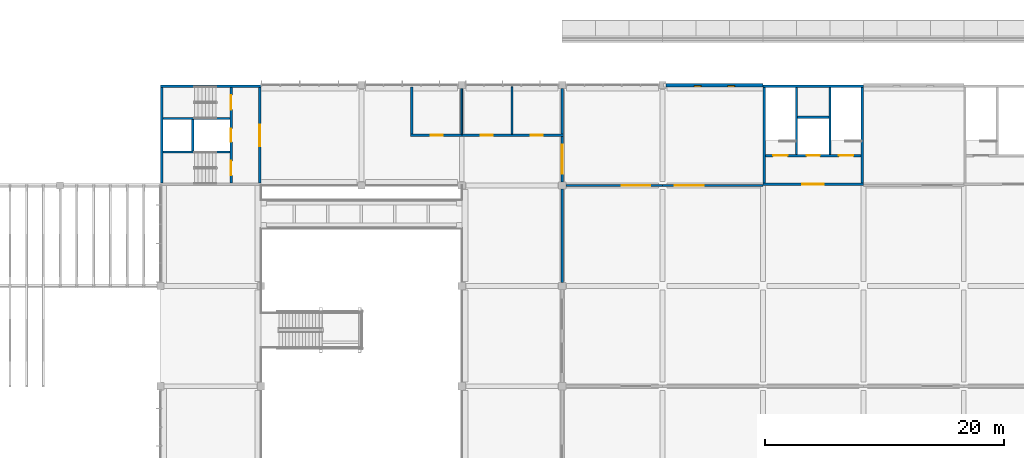
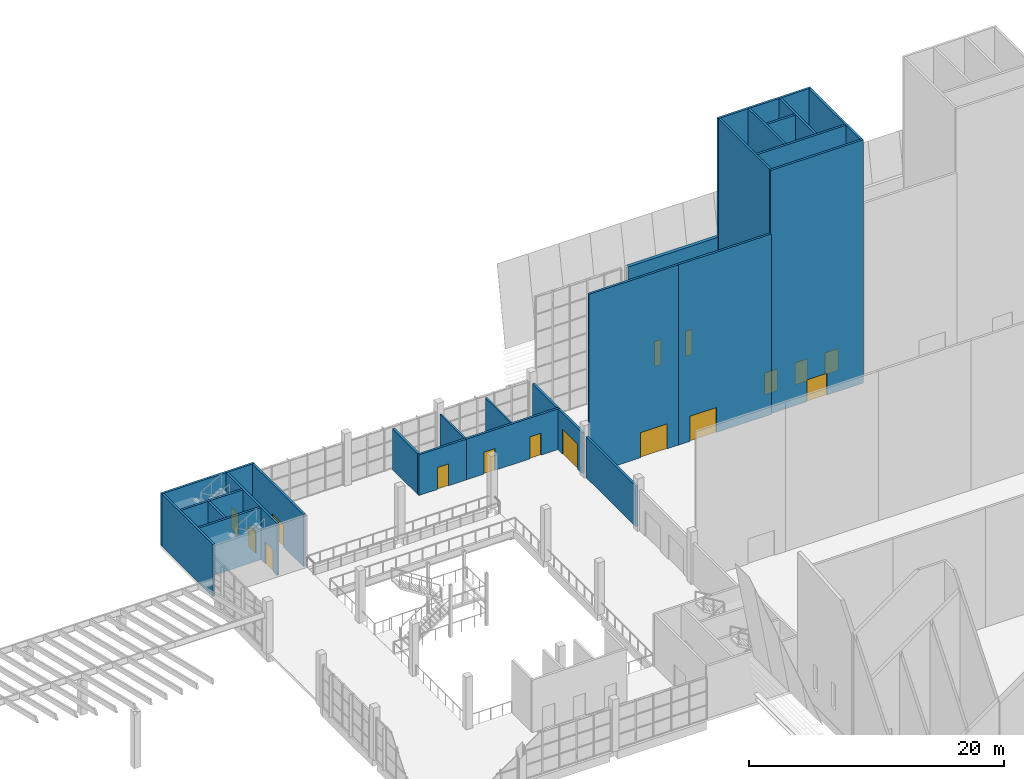
# One storey, part 24 of 59: 26 walls, 14 doors, 2 windows, 16 openings.
"""IFC4 building model written with IfcOpenShell, lengths in metres."""

from ifc_helpers import new_model, si_unit, direction, frame, frame_2d, origin, place, context, subcontext, project, spatial, rectangle, extrude, material, layer, layer_set, type_object, element, fill, save


model = new_model("IFC4")

# Units and contexts
model_context = context("Model", 3, precision=1e-05, world=origin(), true_north=direction((0.0, 1.0)))
body_context = subcontext(model_context, "Body", "Model", "MODEL_VIEW")
ifc_project = project(units=[si_unit("LENGTHUNIT", "METRE"), si_unit("AREAUNIT", "SQUARE_METRE"), si_unit("VOLUMEUNIT", "CUBIC_METRE"), si_unit("PLANEANGLEUNIT", "RADIAN"), si_unit("MASSUNIT", "GRAM", prefix="KILO")], contexts=[model_context])

# Site, building, storey
site_placement = place(None, origin())
site = spatial("IfcSite", under=ifc_project, at=site_placement, CompositionType="ELEMENT")
building_placement = place(site_placement, origin())
building = spatial("IfcBuilding", under=site, at=building_placement, Name="Almond Square Museum", CompositionType="ELEMENT")
storey_placement = place(building_placement, frame((0.0, 0.0, 25.0)))
storey = spatial("IfcBuildingStorey", under=building, at=storey_placement, Name="L04", CompositionType="ELEMENT", Elevation=25.0)

# Wall, openings, windows
ifc_material_1 = material(Name="Concrete C30/37", Category="concrete")
ifc_layer_1 = layer(ifc_material_1, 0.300048828125)
ifc_layer_set_1 = layer_set([ifc_layer_1], Name="Concrete C30/37")
wall_type_1 = type_object("IfcWallType", Name="Cast concrete wall 300 C30/37 behind louvre skin", PredefinedType="SOLIDWALL", material=ifc_layer_set_1)
wall_1_placement = place(storey_placement, frame((115.5, 109.199951171875, 0.0), z_axis=(0.0, 0.0, 1.0), x_axis=(1.0, 0.0, 0.0)))
wall_1 = element("IfcWall", 1, at=wall_1_placement, inside=storey, type_object=wall_type_1, Name="External wall W1 V1 L04 N02", PredefinedType="SOLIDWALL", context=body_context, shape_type="SweptSolid", body=[
    extrude(rectangle(XDim=8.10009765625, YDim=0.300048828125, at=frame_2d((4.050048828125, 0.0))), origin(), (0.0, 0.0, 1.0), 11.89990234375),
])
opening_1_placement = place(wall_1_placement, frame((2.35009765625, 0.0, 1.5)))
opening_1 = element("IfcOpeningElement", 2, at=opening_1_placement, cuts=wall_1, Name="Opening W4039", PredefinedType="OPENING", context=body_context, shape_type="SweptSolid", body=[
    extrude(rectangle(XDim=0.60009765625, YDim=2.39990234375, at=frame_2d((0.300048828125, 1.199951171875))), frame((0.0, 0.159912109375, 0.0), z_axis=(0.0, -1.0, 0.0), x_axis=(1.0, 0.0, 0.0)), (0.0, 0.0, 1.0), 0.320068359375),
])
opening_2_placement = place(wall_1_placement, frame((5.14990234375, 0.0, 1.5)))
opening_2 = element("IfcOpeningElement", 3, at=opening_2_placement, cuts=wall_1, Name="Opening W4040", PredefinedType="OPENING", context=body_context, shape_type="SweptSolid", body=[
    extrude(rectangle(XDim=0.60009765625, YDim=2.39990234375, at=frame_2d((0.300048828125, 1.199951171875))), frame((0.0, 0.159912109375, 0.0), z_axis=(0.0, -1.0, 0.0), x_axis=(1.0, 0.0, 0.0)), (0.0, 0.0, 1.0), 0.320068359375),
])
ifc_material_2 = material(Name="Anodised aluminium louvre and laminated glass", Category="aluminium")
window_type = type_object("IfcWindowType", Name="Slot window with storm louvre", PartitioningType="SINGLE_PANEL", PredefinedType="WINDOW", material=ifc_material_2)
window_1_placement = place(opening_1_placement, origin())
window_1 = element("IfcWindow", 4, at=window_1_placement, inside=storey, type_object=window_type, Name="Slot window with storm louvre W4039", OverallHeight=2.39990234375, OverallWidth=0.60009765625, PartitioningType="SINGLE_PANEL", PredefinedType="WINDOW", context=body_context, shape_type="SweptSolid", body=[
    extrude(rectangle(XDim=0.60009765625, YDim=2.39990234375, at=frame_2d((0.300048828125, 1.199951171875))), frame((0.0, -0.070068359375, 0.0), z_axis=(0.0, -1.0, 0.0), x_axis=(1.0, 0.0, 0.0)), (0.0, 0.0, 1.0), 0.06005859375),
])
fill(opening_1, window_1)
window_2_placement = place(opening_2_placement, origin())
window_2 = element("IfcWindow", 5, at=window_2_placement, inside=storey, type_object=window_type, Name="Slot window with storm louvre W4040", OverallHeight=2.39990234375, OverallWidth=0.60009765625, PartitioningType="SINGLE_PANEL", PredefinedType="WINDOW", context=body_context, shape_type="SweptSolid", body=[
    extrude(rectangle(XDim=0.60009765625, YDim=2.39990234375, at=frame_2d((0.300048828125, 1.199951171875))), frame((0.0, -0.070068359375, 0.0), z_axis=(0.0, -1.0, 0.0), x_axis=(1.0, 0.0, 0.0)), (0.0, 0.0, 1.0), 0.06005859375),
])
fill(opening_2, window_2)

# Wall
ifc_material_3 = material(Name="Concrete blockwork 200", Category="masonry")
ifc_layer_2 = layer(ifc_material_3, 0.199951171875)
ifc_layer_set_2 = layer_set([ifc_layer_2], Name="Concrete blockwork 200")
wall_type_2 = type_object("IfcWallType", Name="Fire partition 200 blockwork", PredefinedType="PARTITIONING", material=ifc_layer_set_2)
wall_2_placement = place(storey_placement, frame((94.199951171875, 105.10009765625, 0.0), z_axis=(0.0, 0.0, 1.0), x_axis=(0.0, 1.0, 0.0)))
element("IfcWall", 6, at=wall_2_placement, inside=storey, type_object=wall_type_2, Name="L04 partition 1", PredefinedType="PARTITIONING", context=body_context, shape_type="SweptSolid", body=[
    extrude(rectangle(XDim=3.949951171875, YDim=0.199951171875, at=frame_2d((1.97509765625, 0.0))), origin(), (0.0, 0.0, 1.0), 3.89990234375),
])

# Wall, opening, door
wall_3_placement = place(storey_placement, frame((94.10009765625, 105.0, 0.0), z_axis=(0.0, 0.0, 1.0), x_axis=(1.0, 0.0, 0.0)))
wall_3 = element("IfcWall", 7, at=wall_3_placement, inside=storey, type_object=wall_type_2, Name="L04 partition 2", PredefinedType="PARTITIONING", context=body_context, shape_type="SweptSolid", body=[
    extrude(rectangle(XDim=4.2998046875, YDim=0.199951171875, at=frame_2d((2.14990234375, 0.0))), origin(), (0.0, 0.0, 1.0), 3.89990234375),
])
opening_3_placement = place(wall_3_placement, frame((1.71240234375, 0.0, 0.0)))
opening_3 = element("IfcOpeningElement", 8, at=opening_3_placement, cuts=wall_3, Name="Opening D4101", PredefinedType="OPENING", context=body_context, shape_type="SweptSolid", body=[
    extrude(rectangle(XDim=1.0, YDim=2.10009765625, at=frame_2d((0.5, 1.050048828125))), frame((0.0, 0.10986328125, 0.0), z_axis=(0.0, -1.0, 0.0), x_axis=(1.0, 0.0, 0.0)), (0.0, 0.0, 1.0), 0.219970703125),
])
ifc_material_4 = material(Name="Steel", Category="steel")
door_type_1 = type_object("IfcDoorType", Name="Fire door 1000 x 2100 FD60 single", OperationType="NOTDEFINED", PredefinedType="DOOR", material=ifc_material_4)
door_1_placement = place(opening_3_placement, origin())
door_1 = element("IfcDoor", 9, at=door_1_placement, inside=storey, type_object=door_type_1, Name="L04 door Women's WC 1 to Atrium Rim Lobby 1", OperationType="SINGLE_SWING_LEFT", OverallHeight=2.10009765625, OverallWidth=1.0, PredefinedType="DOOR", context=body_context, shape_type="SweptSolid", body=[
    extrude(rectangle(XDim=1.0, YDim=2.10009765625, at=frame_2d((0.5, 1.050048828125))), frame((0.0, 0.02490234375, 0.0), z_axis=(0.0, -1.0, 0.0), x_axis=(1.0, 0.0, 0.0)), (0.0, 0.0, 1.0), 0.050048828125),
])
fill(opening_3, door_1)

# Wall, openings, doors
wall_4_placement = place(storey_placement, frame((98.39990234375, 105.0, 0.0), z_axis=(0.0, 0.0, 1.0), x_axis=(1.0, 0.0, 0.0)))
wall_4 = element("IfcWall", 10, at=wall_4_placement, inside=storey, type_object=wall_type_2, Name="L04 partition 3", PredefinedType="PARTITIONING", context=body_context, shape_type="SweptSolid", body=[
    extrude(rectangle(XDim=8.5, YDim=0.199951171875, at=frame_2d((4.25, 0.0))), origin(), (0.0, 0.0, 1.0), 3.89990234375),
])
opening_4_placement = place(wall_4_placement, frame((1.60009765625, 0.0, 0.0)))
opening_4 = element("IfcOpeningElement", 11, at=opening_4_placement, cuts=wall_4, Name="Opening D4102", PredefinedType="OPENING", context=body_context, shape_type="SweptSolid", body=[
    extrude(rectangle(XDim=1.0, YDim=2.10009765625, at=frame_2d((0.5, 1.050048828125))), frame((0.0, 0.10986328125, 0.0), z_axis=(0.0, -1.0, 0.0), x_axis=(1.0, 0.0, 0.0)), (0.0, 0.0, 1.0), 0.219970703125),
])
opening_5_placement = place(wall_4_placement, frame((5.78759765625, 0.0, 0.0)))
opening_5 = element("IfcOpeningElement", 12, at=opening_5_placement, cuts=wall_4, Name="Opening D4103", PredefinedType="OPENING", context=body_context, shape_type="SweptSolid", body=[
    extrude(rectangle(XDim=1.0, YDim=2.10009765625, at=frame_2d((0.5, 1.050048828125))), frame((0.0, 0.10986328125, 0.0), z_axis=(0.0, -1.0, 0.0), x_axis=(1.0, 0.0, 0.0)), (0.0, 0.0, 1.0), 0.219970703125),
])
door_2_placement = place(opening_4_placement, origin())
door_2 = element("IfcDoor", 13, at=door_2_placement, inside=storey, type_object=door_type_1, Name="L04 door Men's WC 1 to Atrium Rim Lobby 1", OperationType="SINGLE_SWING_RIGHT", OverallHeight=2.10009765625, OverallWidth=1.0, PredefinedType="DOOR", context=body_context, shape_type="SweptSolid", body=[
    extrude(rectangle(XDim=1.0, YDim=2.10009765625, at=frame_2d((0.5, 1.050048828125))), frame((0.0, 0.02490234375, 0.0), z_axis=(0.0, -1.0, 0.0), x_axis=(1.0, 0.0, 0.0)), (0.0, 0.0, 1.0), 0.050048828125),
])
fill(opening_4, door_2)
door_3_placement = place(opening_5_placement, origin())
door_3 = element("IfcDoor", 14, at=door_3_placement, inside=storey, type_object=door_type_1, Name="L04 door Accessible WC 1 to Atrium Rim Lobby 1", OperationType="SINGLE_SWING_LEFT", OverallHeight=2.10009765625, OverallWidth=1.0, PredefinedType="DOOR", context=body_context, shape_type="SweptSolid", body=[
    extrude(rectangle(XDim=1.0, YDim=2.10009765625, at=frame_2d((0.5, 1.050048828125))), frame((0.0, 0.02490234375, 0.0), z_axis=(0.0, -1.0, 0.0), x_axis=(1.0, 0.0, 0.0)), (0.0, 0.0, 1.0), 0.050048828125),
])
fill(opening_5, door_3)

# Wall, opening, door
wall_5_placement = place(storey_placement, frame((106.800048828125, 101.10009765625, 0.0), z_axis=(0.0, 0.0, 1.0), x_axis=(0.0, 1.0, 0.0)))
wall_5 = element("IfcWall", 15, at=wall_5_placement, inside=storey, type_object=wall_type_2, Name="L04 partition 4", PredefinedType="PARTITIONING", context=body_context, shape_type="SweptSolid", body=[
    extrude(rectangle(XDim=3.7998046875, YDim=0.199951171875, at=frame_2d((1.89990234375, 0.0))), origin(), (0.0, 0.0, 1.0), 3.89990234375),
])
opening_6_placement = place(wall_5_placement, frame((0.699951171875, 0.0, 0.0)))
opening_6 = element("IfcOpeningElement", 16, at=opening_6_placement, cuts=wall_5, Name="Opening D4119", PredefinedType="OPENING", context=body_context, shape_type="SweptSolid", body=[
    extrude(rectangle(XDim=2.39990234375, YDim=2.39990234375, at=frame_2d((1.199951171875, 1.199951171875))), frame((0.0, 0.10986328125, 0.0), z_axis=(0.0, -1.0, 0.0), x_axis=(1.0, 0.0, 0.0)), (0.0, 0.0, 1.0), 0.219970703125),
])
ifc_material_5 = material(Name="Steel", Category="steel")
door_type_2 = type_object("IfcDoorType", Name="Fire door 2400 x 2400 FD60 double", OperationType="NOTDEFINED", PredefinedType="DOOR", material=ifc_material_5)
door_4_placement = place(opening_6_placement, origin())
door_4 = element("IfcDoor", 17, at=door_4_placement, inside=storey, type_object=door_type_2, Name="L04 door Atrium Rim Lobby 1 to Hall Gallery 1", OperationType="DOUBLE_DOOR_SINGLE_SWING", OverallHeight=2.39990234375, OverallWidth=2.39990234375, PredefinedType="DOOR", context=body_context, shape_type="SweptSolid", body=[
    extrude(rectangle(XDim=2.39990234375, YDim=2.39990234375, at=frame_2d((1.199951171875, 1.199951171875))), frame((0.0, 0.02490234375, 0.0), z_axis=(0.0, -1.0, 0.0), x_axis=(1.0, 0.0, 0.0)), (0.0, 0.0, 1.0), 0.050048828125),
])
fill(opening_6, door_4)

# Walls
wall_6_placement = place(storey_placement, frame((106.800048828125, 92.699951171875, 0.0), z_axis=(0.0, 0.0, 1.0), x_axis=(0.0, 1.0, 0.0)))
element("IfcWall", 18, at=wall_6_placement, inside=storey, type_object=wall_type_2, Name="L04 partition 12", PredefinedType="PARTITIONING", context=body_context, shape_type="SweptSolid", body=[
    extrude(rectangle(XDim=7.800048828125, YDim=0.199951171875, at=frame_2d((3.89990234375, 0.0))), origin(), (0.0, 0.0, 1.0), 3.89990234375),
])
ifc_material_6 = material(Name="Painted gypsum board on steel stud", Category="steel")
ifc_layer_3 = layer(ifc_material_6, 0.199951171875)
ifc_layer_set_3 = layer_set([ifc_layer_3], Name="Painted gypsum board on steel stud")
wall_type_3 = type_object("IfcWallType", Name="Gallery wall 200 painted board on stud", PredefinedType="PARTITIONING", material=ifc_layer_set_3)
wall_7_placement = place(storey_placement, frame((106.800048828125, 105.10009765625, 0.0), z_axis=(0.0, 0.0, 1.0), x_axis=(0.0, 1.0, 0.0)))
element("IfcWall", 19, at=wall_7_placement, inside=storey, type_object=wall_type_3, Name="L04 partition 7", PredefinedType="PARTITIONING", context=body_context, shape_type="SweptSolid", body=[
    extrude(rectangle(XDim=3.7998046875, YDim=0.199951171875, at=frame_2d((1.89990234375, 0.0))), origin(), (0.0, 0.0, 1.0), 3.89990234375),
])

# Wall, opening, door
wall_8_placement = place(storey_placement, frame((107.10009765625, 100.800048828125, 0.0), z_axis=(0.0, 0.0, 1.0), x_axis=(1.0, 0.0, 0.0)))
wall_8 = element("IfcWall", 20, at=wall_8_placement, inside=storey, type_object=wall_type_3, Name="L04 partition 8", PredefinedType="PARTITIONING", context=body_context, shape_type="SweptSolid", body=[
    extrude(rectangle(XDim=8.099853515625, YDim=0.199951171875, at=frame_2d((4.0498046875, 0.0))), origin(), (0.0, 0.0, 1.0), 17.27001953125),
])
opening_7_placement = place(wall_8_placement, frame((4.675048828125, 0.0, 0.0)))
opening_7 = element("IfcOpeningElement", 21, at=opening_7_placement, cuts=wall_8, Name="Opening D4120", PredefinedType="OPENING", context=body_context, shape_type="SweptSolid", body=[
    extrude(rectangle(XDim=2.39990234375, YDim=2.39990234375, at=frame_2d((1.199951171875, 1.199951171875))), frame((0.0, 0.10986328125, 0.0), z_axis=(0.0, -1.0, 0.0), x_axis=(1.0, 0.0, 0.0)), (0.0, 0.0, 1.0), 0.219970703125),
])
ifc_material_7 = material(Name="Timber", Category="wood")
door_type_3 = type_object("IfcDoorType", Name="Gallery door 2400 x 2400 timber double", OperationType="NOTDEFINED", PredefinedType="DOOR", material=ifc_material_7)
door_5_placement = place(opening_7_placement, origin())
door_5 = element("IfcDoor", 22, at=door_5_placement, inside=storey, type_object=door_type_3, Name="L04 door Hall Gallery 1 to Hall Gallery 3", OperationType="DOUBLE_DOOR_SINGLE_SWING", OverallHeight=2.39990234375, OverallWidth=2.39990234375, PredefinedType="DOOR", context=body_context, shape_type="SweptSolid", body=[
    extrude(rectangle(XDim=2.39990234375, YDim=2.39990234375, at=frame_2d((1.199951171875, 1.199951171875))), frame((0.0, 0.02490234375, 0.0), z_axis=(0.0, -1.0, 0.0), x_axis=(1.0, 0.0, 0.0)), (0.0, 0.0, 1.0), 0.050048828125),
])
fill(opening_7, door_5)

wall_9_placement = place(storey_placement, frame((115.199951171875, 100.800048828125, 0.0), z_axis=(0.0, 0.0, 1.0), x_axis=(1.0, 0.0, 0.0)))
wall_9 = element("IfcWall", 23, at=wall_9_placement, inside=storey, type_object=wall_type_3, Name="L04 partition 9", PredefinedType="PARTITIONING", context=body_context, shape_type="SweptSolid", body=[
    extrude(rectangle(XDim=8.400146484375, YDim=0.199951171875, at=frame_2d((4.2001953125, 0.0))), origin(), (0.0, 0.0, 1.0), 17.27001953125),
])
opening_8_placement = place(wall_9_placement, frame((1.02490234375, 0.0, 0.0)))
opening_8 = element("IfcOpeningElement", 24, at=opening_8_placement, cuts=wall_9, Name="Opening D4121", PredefinedType="OPENING", context=body_context, shape_type="SweptSolid", body=[
    extrude(rectangle(XDim=2.39990234375, YDim=2.39990234375, at=frame_2d((1.199951171875, 1.199951171875))), frame((0.0, 0.10986328125, 0.0), z_axis=(0.0, -1.0, 0.0), x_axis=(1.0, 0.0, 0.0)), (0.0, 0.0, 1.0), 0.219970703125),
])
door_6_placement = place(opening_8_placement, origin())
door_6 = element("IfcDoor", 25, at=door_6_placement, inside=storey, type_object=door_type_3, Name="L04 door Hall Gallery 1 to Hall Gallery 3", OperationType="DOUBLE_DOOR_SINGLE_SWING", OverallHeight=2.39990234375, OverallWidth=2.39990234375, PredefinedType="DOOR", context=body_context, shape_type="SweptSolid", body=[
    extrude(rectangle(XDim=2.39990234375, YDim=2.39990234375, at=frame_2d((1.199951171875, 1.199951171875))), frame((0.0, 0.02490234375, 0.0), z_axis=(0.0, -1.0, 0.0), x_axis=(1.0, 0.0, 0.0)), (0.0, 0.0, 1.0), 0.050048828125),
])
fill(opening_8, door_6)

# Walls
ifc_material_8 = material(Name="Plasterboard on steel stud", Category="steel")
ifc_layer_4 = layer(ifc_material_8, 0.14990234375)
ifc_layer_set_4 = layer_set([ifc_layer_4], Name="Plasterboard on steel stud")
wall_type_4 = type_object("IfcWallType", Name="Partition 150 plasterboard on steel stud", PredefinedType="PARTITIONING", material=ifc_layer_set_4)
wall_10_placement = place(storey_placement, frame((98.39990234375, 105.10009765625, 0.0), z_axis=(0.0, 0.0, 1.0), x_axis=(0.0, 1.0, 0.0)))
element("IfcWall", 26, at=wall_10_placement, inside=storey, type_object=wall_type_4, Name="L04 partition 5", PredefinedType="PARTITIONING", context=body_context, shape_type="SweptSolid", body=[
    extrude(rectangle(XDim=3.7998046875, YDim=0.14990234375, at=frame_2d((1.89990234375, 0.0))), origin(), (0.0, 0.0, 1.0), 3.89990234375),
])
wall_11_placement = place(storey_placement, frame((102.60009765625, 105.10009765625, 0.0), z_axis=(0.0, 0.0, 1.0), x_axis=(0.0, 1.0, 0.0)))
element("IfcWall", 27, at=wall_11_placement, inside=storey, type_object=wall_type_4, Name="L04 partition 6", PredefinedType="PARTITIONING", context=body_context, shape_type="SweptSolid", body=[
    extrude(rectangle(XDim=3.949951171875, YDim=0.14990234375, at=frame_2d((1.97509765625, 0.0))), origin(), (0.0, 0.0, 1.0), 3.89990234375),
])

# Wall, opening, door
ifc_material_9 = material(Name="Concrete C40/50", Category="concrete")
ifc_layer_5 = layer(ifc_material_9, 0.199951171875)
ifc_layer_set_5 = layer_set([ifc_layer_5], Name="Concrete C40/50")
wall_type_5 = type_object("IfcWallType", Name="RC shear wall 200 C40/50", PredefinedType="SHEAR", material=ifc_layer_set_5)
wall_12_placement = place(storey_placement, frame((123.60009765625, 100.89990234375, 0.0), z_axis=(0.0, 0.0, 1.0), x_axis=(1.0, 0.0, 0.0)))
wall_12 = element("IfcWall", 28, at=wall_12_placement, inside=storey, type_object=wall_type_5, Name="Core H4 south wall L04", PredefinedType="SHEAR", context=body_context, shape_type="SweptSolid", body=[
    extrude(rectangle(XDim=8.39990234375, YDim=0.199951171875, at=frame_2d((4.199951171875, 0.0))), origin(), (0.0, 0.0, 1.0), 23.2900390625),
])
opening_9_placement = place(wall_12_placement, frame((3.300048828125, 0.0, 0.0)))
opening_9 = element("IfcOpeningElement", 29, at=opening_9_placement, cuts=wall_12, Name="Opening D4140", PredefinedType="OPENING", context=body_context, shape_type="SweptSolid", body=[
    extrude(rectangle(XDim=1.800048828125, YDim=2.10009765625, at=frame_2d((0.89990234375, 1.050048828125))), frame((0.0, 0.10986328125, 0.0), z_axis=(0.0, -1.0, 0.0), x_axis=(1.0, 0.0, 0.0)), (0.0, 0.0, 1.0), 0.219970703125),
])
ifc_material_10 = material(Name="Steel", Category="steel")
door_type_4 = type_object("IfcDoorType", Name="Fire door 1800 x 2100 FD60 double", OperationType="NOTDEFINED", PredefinedType="DOOR", material=ifc_material_10)
door_7_placement = place(opening_9_placement, origin())
door_7 = element("IfcDoor", 30, at=door_7_placement, inside=storey, type_object=door_type_4, Name="L04 stair core H4 lobby door", OperationType="DOUBLE_DOOR_SINGLE_SWING", OverallHeight=2.10009765625, OverallWidth=1.800048828125, PredefinedType="DOOR", context=body_context, shape_type="SweptSolid", body=[
    extrude(rectangle(XDim=1.800048828125, YDim=2.10009765625, at=frame_2d((0.89990234375, 1.050048828125))), frame((0.0, 0.02490234375, 0.0), z_axis=(0.0, -1.0, 0.0), x_axis=(1.0, 0.0, 0.0)), (0.0, 0.0, 1.0), 0.050048828125),
])
fill(opening_9, door_7)

# Walls
wall_13_placement = place(storey_placement, frame((123.60009765625, 109.10009765625, 0.0), z_axis=(0.0, 0.0, 1.0), x_axis=(1.0, 0.0, 0.0)))
element("IfcWall", 31, at=wall_13_placement, inside=storey, type_object=wall_type_5, Name="Core H4 north wall L04", PredefinedType="SHEAR", context=body_context, shape_type="SweptSolid", body=[
    extrude(rectangle(XDim=8.39990234375, YDim=0.199951171875, at=frame_2d((4.199951171875, 0.0))), origin(), (0.0, 0.0, 1.0), 23.2900390625),
])
for number, where, z_axis, x_axis, name in (
    (32, (123.699951171875, 101.0, 0.0), (0.0, 0.0, 1.0), (0.0, 1.0, 0.0), "Core H4 west wall L04"),
    (33, (131.89990234375, 101.0, 0.0), (0.0, 0.0, 1.0), (0.0, 1.0, 0.0), "Core H4 east wall L04"),
):
    element("IfcWall", number, at=place(storey_placement, frame(where, z_axis=z_axis, x_axis=x_axis)), inside=storey, type_object=wall_type_5, Name=name, PredefinedType="SHEAR", context=body_context, shape_type="SweptSolid", body=[
        extrude(rectangle(XDim=8.0, YDim=0.199951171875, at=frame_2d((4.0, 0.0))), origin(), (0.0, 0.0, 1.0), 23.2900390625),
    ])

# Wall, openings, doors
wall_14_placement = place(storey_placement, frame((123.800048828125, 103.300048828125, 0.0), z_axis=(0.0, 0.0, 1.0), x_axis=(1.0, 0.0, 0.0)))
wall_14 = element("IfcWall", 34, at=wall_14_placement, inside=storey, type_object=wall_type_5, Name="Core H4 lobby wall L04", PredefinedType="SHEAR", context=body_context, shape_type="SweptSolid", body=[
    extrude(rectangle(XDim=8.0, YDim=0.199951171875, at=frame_2d((4.0, 0.0))), origin(), (0.0, 0.0, 1.0), 23.2900390625),
])
opening_10_placement = place(wall_14_placement, frame((0.64990234375, 0.0, 0.0)))
opening_10 = element("IfcOpeningElement", 35, at=opening_10_placement, cuts=wall_14, Name="Opening D4141", PredefinedType="OPENING", context=body_context, shape_type="SweptSolid", body=[
    extrude(rectangle(XDim=1.199951171875, YDim=2.10009765625, at=frame_2d((0.60009765625, 1.050048828125))), frame((0.0, 0.10986328125, 0.0), z_axis=(0.0, -1.0, 0.0), x_axis=(1.0, 0.0, 0.0)), (0.0, 0.0, 1.0), 0.219970703125),
])
opening_11_placement = place(wall_14_placement, frame((6.14990234375, 0.0, 0.0)))
opening_11 = element("IfcOpeningElement", 36, at=opening_11_placement, cuts=wall_14, Name="Opening D4142", PredefinedType="OPENING", context=body_context, shape_type="SweptSolid", body=[
    extrude(rectangle(XDim=1.199951171875, YDim=2.10009765625, at=frame_2d((0.60009765625, 1.050048828125))), frame((0.0, 0.10986328125, 0.0), z_axis=(0.0, -1.0, 0.0), x_axis=(1.0, 0.0, 0.0)), (0.0, 0.0, 1.0), 0.219970703125),
])
opening_12_placement = place(wall_14_placement, frame((3.449951171875, 0.0, 0.0)))
opening_12 = element("IfcOpeningElement", 37, at=opening_12_placement, cuts=wall_14, Name="Opening D4143", PredefinedType="OPENING", context=body_context, shape_type="SweptSolid", body=[
    extrude(rectangle(XDim=1.10009765625, YDim=2.10009765625, at=frame_2d((0.550048828125, 1.050048828125))), frame((0.0, 0.10986328125, 0.0), z_axis=(0.0, -1.0, 0.0), x_axis=(1.0, 0.0, 0.0)), (0.0, 0.0, 1.0), 0.219970703125),
])
ifc_material_11 = material(Name="Steel", Category="steel")
door_type_5 = type_object("IfcDoorType", Name="Fire door 1200 x 2100 FD120 stair", OperationType="NOTDEFINED", PredefinedType="DOOR", material=ifc_material_11)
door_8_placement = place(opening_10_placement, origin())
door_8 = element("IfcDoor", 38, at=door_8_placement, inside=storey, type_object=door_type_5, Name="L04 stair H4-1 door", OperationType="SINGLE_SWING_LEFT", OverallHeight=2.10009765625, OverallWidth=1.199951171875, PredefinedType="DOOR", context=body_context, shape_type="SweptSolid", body=[
    extrude(rectangle(XDim=1.199951171875, YDim=2.10009765625, at=frame_2d((0.60009765625, 1.050048828125))), frame((0.0, 0.02490234375, 0.0), z_axis=(0.0, -1.0, 0.0), x_axis=(1.0, 0.0, 0.0)), (0.0, 0.0, 1.0), 0.050048828125),
])
fill(opening_10, door_8)
door_9_placement = place(opening_11_placement, origin())
door_9 = element("IfcDoor", 39, at=door_9_placement, inside=storey, type_object=door_type_5, Name="L04 stair H4-2 door", OperationType="SINGLE_SWING_RIGHT", OverallHeight=2.10009765625, OverallWidth=1.199951171875, PredefinedType="DOOR", context=body_context, shape_type="SweptSolid", body=[
    extrude(rectangle(XDim=1.199951171875, YDim=2.10009765625, at=frame_2d((0.60009765625, 1.050048828125))), frame((0.0, 0.02490234375, 0.0), z_axis=(0.0, -1.0, 0.0), x_axis=(1.0, 0.0, 0.0)), (0.0, 0.0, 1.0), 0.050048828125),
])
fill(opening_11, door_9)
ifc_material_12 = material(Name="Stainless steel", Category="steel")
door_type_6 = type_object("IfcDoorType", Name="Lift landing door 1100 x 2100", OperationType="NOTDEFINED", PredefinedType="DOOR", material=ifc_material_12)
door_10_placement = place(opening_12_placement, origin())
door_10 = element("IfcDoor", 40, at=door_10_placement, inside=storey, type_object=door_type_6, Name="L04 lift PL-H4 landing door", OperationType="DOUBLE_DOOR_SLIDING", OverallHeight=2.10009765625, OverallWidth=1.10009765625, PredefinedType="DOOR", context=body_context, shape_type="SweptSolid", body=[
    extrude(rectangle(XDim=1.10009765625, YDim=2.10009765625, at=frame_2d((0.550048828125, 1.050048828125))), frame((0.0, 0.02490234375, 0.0), z_axis=(0.0, -1.0, 0.0), x_axis=(1.0, 0.0, 0.0)), (0.0, 0.0, 1.0), 0.050048828125),
])
fill(opening_12, door_10)

# Walls
for number, where, z_axis, x_axis, name in (
    (41, (126.39990234375, 103.39990234375, 0.0), (0.0, 0.0, 1.0), (0.0, 1.0, 0.0), "Core H4 partition wall L04"),
    (42, (129.199951171875, 103.39990234375, 0.0), (0.0, 0.0, 1.0), (0.0, 1.0, 0.0), "Core H4 partition wall L04"),
):
    element("IfcWall", number, at=place(storey_placement, frame(where, z_axis=z_axis, x_axis=x_axis)), inside=storey, type_object=wall_type_5, Name=name, PredefinedType="SHEAR", context=body_context, shape_type="SweptSolid", body=[
        extrude(rectangle(XDim=5.60009765625, YDim=0.199951171875, at=frame_2d((2.800048828125, 0.0))), origin(), (0.0, 0.0, 1.0), 23.2900390625),
    ])
wall_15_placement = place(storey_placement, frame((126.5, 106.5, 0.0), z_axis=(0.0, 0.0, 1.0), x_axis=(1.0, 0.0, 0.0)))
element("IfcWall", 43, at=wall_15_placement, inside=storey, type_object=wall_type_5, Name="Core H4 partition wall L04", PredefinedType="SHEAR", context=body_context, shape_type="SweptSolid", body=[
    extrude(rectangle(XDim=2.60009765625, YDim=0.199951171875, at=frame_2d((1.300048828125, 0.0))), origin(), (0.0, 0.0, 1.0), 23.2900390625),
])
wall_16_placement = place(storey_placement, frame((73.199951171875, 109.10009765625, 0.0), z_axis=(0.0, 0.0, 1.0), x_axis=(1.0, 0.0, 0.0)))
element("IfcWall", 44, at=wall_16_placement, inside=storey, type_object=wall_type_5, Name="Core A1 north wall L04", PredefinedType="SHEAR", context=body_context, shape_type="SweptSolid", body=[
    extrude(rectangle(XDim=8.400146484375, YDim=0.199951171875, at=frame_2d((4.2001953125, 0.0))), origin(), (0.0, 0.0, 1.0), 5.0),
])
wall_17_placement = place(storey_placement, frame((73.300048828125, 101.0, 0.0), z_axis=(0.0, 0.0, 1.0), x_axis=(0.0, 1.0, 0.0)))
element("IfcWall", 45, at=wall_17_placement, inside=storey, type_object=wall_type_5, Name="Core A1 west wall L04", PredefinedType="SHEAR", context=body_context, shape_type="SweptSolid", body=[
    extrude(rectangle(XDim=8.0, YDim=0.199951171875, at=frame_2d((4.0, 0.0))), origin(), (0.0, 0.0, 1.0), 5.0),
])

# Wall, opening, door
wall_18_placement = place(storey_placement, frame((81.5, 101.0, 0.0), z_axis=(0.0, 0.0, 1.0), x_axis=(0.0, 1.0, 0.0)))
wall_18 = element("IfcWall", 46, at=wall_18_placement, inside=storey, type_object=wall_type_5, Name="Core A1 east wall L04", PredefinedType="SHEAR", context=body_context, shape_type="SweptSolid", body=[
    extrude(rectangle(XDim=8.0, YDim=0.199951171875, at=frame_2d((4.0, 0.0))), origin(), (0.0, 0.0, 1.0), 5.0),
])
opening_13_placement = place(wall_18_placement, frame((3.10009765625, 0.0, 0.0)))
opening_13 = element("IfcOpeningElement", 47, at=opening_13_placement, cuts=wall_18, Name="Opening D4144", PredefinedType="OPENING", context=body_context, shape_type="SweptSolid", body=[
    extrude(rectangle(XDim=1.800048828125, YDim=2.10009765625, at=frame_2d((0.89990234375, 1.050048828125))), frame((0.0, 0.10986328125, 0.0), z_axis=(0.0, -1.0, 0.0), x_axis=(1.0, 0.0, 0.0)), (0.0, 0.0, 1.0), 0.219970703125),
])
door_11_placement = place(opening_13_placement, origin())
door_11 = element("IfcDoor", 48, at=door_11_placement, inside=storey, type_object=door_type_4, Name="L04 stair core A1 lobby door", OperationType="DOUBLE_DOOR_SINGLE_SWING", OverallHeight=2.10009765625, OverallWidth=1.800048828125, PredefinedType="DOOR", context=body_context, shape_type="SweptSolid", body=[
    extrude(rectangle(XDim=1.800048828125, YDim=2.10009765625, at=frame_2d((0.89990234375, 1.050048828125))), frame((0.0, 0.02490234375, 0.0), z_axis=(0.0, -1.0, 0.0), x_axis=(1.0, 0.0, 0.0)), (0.0, 0.0, 1.0), 0.050048828125),
])
fill(opening_13, door_11)

# Wall, openings, doors
wall_19_placement = place(storey_placement, frame((79.10009765625, 101.0, 0.0), z_axis=(0.0, 0.0, 1.0), x_axis=(0.0, 1.0, 0.0)))
wall_19 = element("IfcWall", 49, at=wall_19_placement, inside=storey, type_object=wall_type_5, Name="Core A1 lobby wall L04", PredefinedType="SHEAR", context=body_context, shape_type="SweptSolid", body=[
    extrude(rectangle(XDim=8.0, YDim=0.199951171875, at=frame_2d((4.0, 0.0))), origin(), (0.0, 0.0, 1.0), 5.0),
])
opening_14_placement = place(wall_19_placement, frame((0.64990234375, 0.0, 0.0)))
opening_14 = element("IfcOpeningElement", 50, at=opening_14_placement, cuts=wall_19, Name="Opening D4145", PredefinedType="OPENING", context=body_context, shape_type="SweptSolid", body=[
    extrude(rectangle(XDim=1.199951171875, YDim=2.10009765625, at=frame_2d((0.60009765625, 1.050048828125))), frame((0.0, 0.10986328125, 0.0), z_axis=(0.0, -1.0, 0.0), x_axis=(1.0, 0.0, 0.0)), (0.0, 0.0, 1.0), 0.219970703125),
])
opening_15_placement = place(wall_19_placement, frame((6.14990234375, 0.0, 0.0)))
opening_15 = element("IfcOpeningElement", 51, at=opening_15_placement, cuts=wall_19, Name="Opening D4146", PredefinedType="OPENING", context=body_context, shape_type="SweptSolid", body=[
    extrude(rectangle(XDim=1.199951171875, YDim=2.10009765625, at=frame_2d((0.60009765625, 1.050048828125))), frame((0.0, 0.10986328125, 0.0), z_axis=(0.0, -1.0, 0.0), x_axis=(1.0, 0.0, 0.0)), (0.0, 0.0, 1.0), 0.219970703125),
])
opening_16_placement = place(wall_19_placement, frame((3.449951171875, 0.0, 0.0)))
opening_16 = element("IfcOpeningElement", 52, at=opening_16_placement, cuts=wall_19, Name="Opening D4147", PredefinedType="OPENING", context=body_context, shape_type="SweptSolid", body=[
    extrude(rectangle(XDim=1.10009765625, YDim=2.10009765625, at=frame_2d((0.550048828125, 1.050048828125))), frame((0.0, 0.10986328125, 0.0), z_axis=(0.0, -1.0, 0.0), x_axis=(1.0, 0.0, 0.0)), (0.0, 0.0, 1.0), 0.219970703125),
])
door_12_placement = place(opening_14_placement, origin())
door_12 = element("IfcDoor", 53, at=door_12_placement, inside=storey, type_object=door_type_5, Name="L04 stair A1-1 door", OperationType="SINGLE_SWING_LEFT", OverallHeight=2.10009765625, OverallWidth=1.199951171875, PredefinedType="DOOR", context=body_context, shape_type="SweptSolid", body=[
    extrude(rectangle(XDim=1.199951171875, YDim=2.10009765625, at=frame_2d((0.60009765625, 1.050048828125))), frame((0.0, 0.02490234375, 0.0), z_axis=(0.0, -1.0, 0.0), x_axis=(1.0, 0.0, 0.0)), (0.0, 0.0, 1.0), 0.050048828125),
])
fill(opening_14, door_12)
door_13_placement = place(opening_15_placement, origin())
door_13 = element("IfcDoor", 54, at=door_13_placement, inside=storey, type_object=door_type_5, Name="L04 stair A1-2 door", OperationType="SINGLE_SWING_RIGHT", OverallHeight=2.10009765625, OverallWidth=1.199951171875, PredefinedType="DOOR", context=body_context, shape_type="SweptSolid", body=[
    extrude(rectangle(XDim=1.199951171875, YDim=2.10009765625, at=frame_2d((0.60009765625, 1.050048828125))), frame((0.0, 0.02490234375, 0.0), z_axis=(0.0, -1.0, 0.0), x_axis=(1.0, 0.0, 0.0)), (0.0, 0.0, 1.0), 0.050048828125),
])
fill(opening_15, door_13)
door_14_placement = place(opening_16_placement, origin())
door_14 = element("IfcDoor", 55, at=door_14_placement, inside=storey, type_object=door_type_6, Name="L04 lift PL-A1 landing door", OperationType="DOUBLE_DOOR_SLIDING", OverallHeight=2.10009765625, OverallWidth=1.10009765625, PredefinedType="DOOR", context=body_context, shape_type="SweptSolid", body=[
    extrude(rectangle(XDim=1.10009765625, YDim=2.10009765625, at=frame_2d((0.550048828125, 1.050048828125))), frame((0.0, 0.02490234375, 0.0), z_axis=(0.0, -1.0, 0.0), x_axis=(1.0, 0.0, 0.0)), (0.0, 0.0, 1.0), 0.050048828125),
])
fill(opening_16, door_14)

# Walls
for number, where, z_axis, x_axis, name in (
    (56, (73.39990234375, 103.60009765625, 0.0), (0.0, 0.0, 1.0), (1.0, 0.0, 0.0), "Core A1 partition wall L04"),
    (57, (73.39990234375, 106.39990234375, 0.0), (0.0, 0.0, 1.0), (1.0, 0.0, 0.0), "Core A1 partition wall L04"),
):
    element("IfcWall", number, at=place(storey_placement, frame(where, z_axis=z_axis, x_axis=x_axis)), inside=storey, type_object=wall_type_5, Name=name, PredefinedType="SHEAR", context=body_context, shape_type="SweptSolid", body=[
        extrude(rectangle(XDim=5.60009765625, YDim=0.199951171875, at=frame_2d((2.800048828125, 0.0))), origin(), (0.0, 0.0, 1.0), 5.0),
    ])
wall_20_placement = place(storey_placement, frame((75.89990234375, 103.699951171875, 0.0), z_axis=(0.0, 0.0, 1.0), x_axis=(0.0, 1.0, 0.0)))
element("IfcWall", 58, at=wall_20_placement, inside=storey, type_object=wall_type_5, Name="Core A1 partition wall L04", PredefinedType="SHEAR", context=body_context, shape_type="SweptSolid", body=[
    extrude(rectangle(XDim=2.60009765625, YDim=0.199951171875, at=frame_2d((1.300048828125, 0.0))), origin(), (0.0, 0.0, 1.0), 5.0),
])

save(model, "model.ifc")
